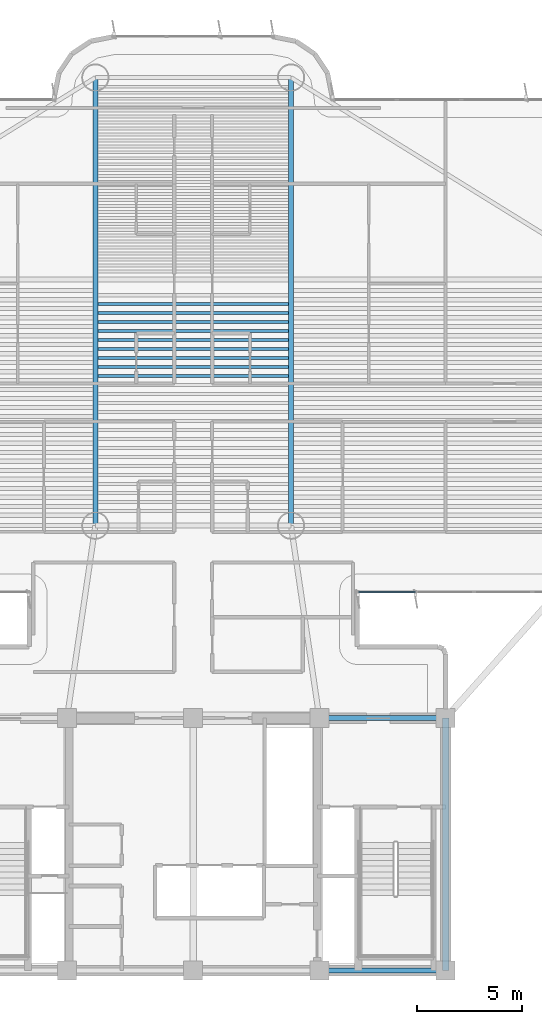
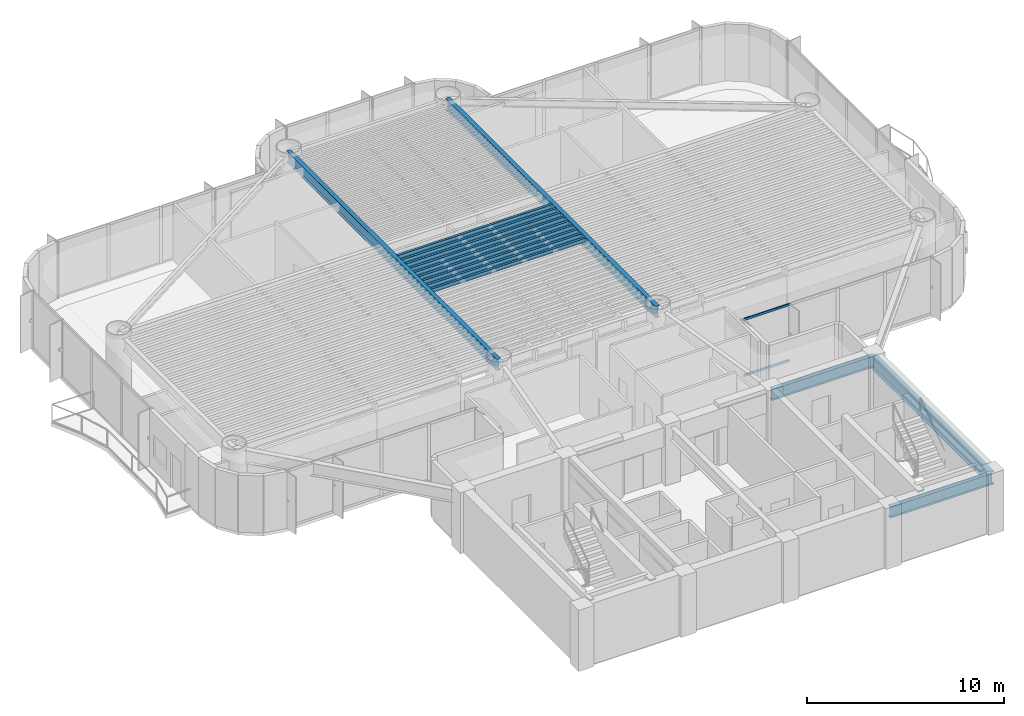
# One storey, part 3 of 17: 14 beams, 2 members, 1 element without a shape of its own.
"""IFC4 building model written with IfcOpenShell, lengths in metres."""

import ifcopenshell
import ifcopenshell.guid

model = None  # the IFC model being written
_history = None  # IfcOwnerHistory: only IFC2X3 demands one
_inside = {}  # id of a spatial element -> (the spatial element, [elements in it])
_under = {}  # id of a project, library or spatial element -> (it, [spatial elements below it])
_declared = {}  # id of a project -> (the project, [libraries it declares])
_typed = {}  # id of a type object -> (the type object, [elements of that type])
_made_of = {}  # id of a material, layer set ... -> (it, [elements and type objects made of it])


def new_model(schema):
    """Start an empty IFC model of exactly this schema.

    Asked for "IFC4X3", IfcOpenShell would pick the latest addendum, in which some entities
    have other attributes; the version numbers below select the first issue.
    IFC2X3 requires an IfcOwnerHistory on every rooted entity: one is made here for all.
    """
    global model, _history
    if schema == "IFC4X3":
        model = ifcopenshell.file(schema_version=(4, 3, 0, 0))
    else:
        model = ifcopenshell.file(schema=schema)
    _inside.clear()
    _under.clear()
    _declared.clear()
    _typed.clear()
    _made_of.clear()
    _history = None
    if model.schema == "IFC2X3":
        org = make("IfcOrganization", Name="unknown")
        user = make(
            "IfcPersonAndOrganization",
            ThePerson=make("IfcPerson", FamilyName="unknown"),
            TheOrganization=org,
        )
        app = make(
            "IfcApplication",
            ApplicationDeveloper=org,
            Version="unknown",
            ApplicationFullName="unknown",
            ApplicationIdentifier="unknown",
        )
        _history = make(
            "IfcOwnerHistory",
            OwningUser=user,
            OwningApplication=app,
            ChangeAction="ADDED",
            CreationDate=0,
        )
    return model


def make(cls, **values):
    """One entity of the class cls with the attributes given. An attribute that is None is left unset."""
    return model.create_entity(
        cls, **{name: value for name, value in values.items() if value is not None}
    )


def rooted(cls, **values):
    """An entity with a GlobalId (a new one), such as an element, a storey or a relation."""
    return make(cls, GlobalId=ifcopenshell.guid.new(), OwnerHistory=_history, **values)


def si_unit(unit_type, name, prefix=None):
    """IfcSIUnit, for example si_unit("LENGTHUNIT", "METRE", prefix="MILLI")."""
    return make("IfcSIUnit", UnitType=unit_type, Prefix=prefix, Name=name)


def assignment(units):
    """IfcUnitAssignment: the units of a project."""
    return None if units is None else make("IfcUnitAssignment", Units=units)


def point(xyz):
    """IfcCartesianPoint."""
    return None if xyz is None else make("IfcCartesianPoint", Coordinates=xyz)


def direction(xyz):
    """IfcDirection."""
    return None if xyz is None else make("IfcDirection", DirectionRatios=xyz)


def frame(location, z_axis=None, x_axis=None):
    """IfcAxis2Placement3D, a coordinate frame: its origin and axes. An axis left out is left unset."""
    return make(
        "IfcAxis2Placement3D",
        Location=point(location),
        Axis=direction(z_axis),
        RefDirection=direction(x_axis),
    )


def frame_2d(location, x_axis=None):
    """IfcAxis2Placement2D, a coordinate frame in the plane: its origin and x axis."""
    return make(
        "IfcAxis2Placement2D", Location=point(location), RefDirection=direction(x_axis)
    )


def origin():
    """The frame at (0, 0, 0) with its axes left unset."""
    return frame((0.0, 0.0, 0.0))


def origin_2d():
    """The frame at (0, 0) in the plane with its x axis left unset."""
    return frame_2d((0.0, 0.0))


def place(relative_to, where):
    """IfcLocalPlacement: puts the frame where relative to a parent placement (None: the world)."""
    return make(
        "IfcLocalPlacement", PlacementRelTo=relative_to, RelativePlacement=where
    )


def context(
    kind, dimensions, precision=None, world=None, true_north=None, identifier=None
):
    """IfcGeometricRepresentationContext, for example the 3D "Model" context."""
    return make(
        "IfcGeometricRepresentationContext",
        ContextIdentifier=identifier,
        ContextType=kind,
        CoordinateSpaceDimension=dimensions,
        Precision=precision,
        WorldCoordinateSystem=world,
        TrueNorth=true_north,
    )


def subcontext(parent, identifier, kind, view, scale=None):
    """IfcGeometricRepresentationSubContext, for example "Body" below "Model"."""
    return make(
        "IfcGeometricRepresentationSubContext",
        ContextIdentifier=identifier,
        ContextType=kind,
        ParentContext=parent,
        TargetScale=scale,
        TargetView=view,
    )


def project(units=None, contexts=None):
    """IfcProject with its units and contexts."""
    return rooted(
        "IfcProject",
        Name="project",
        RepresentationContexts=contexts,
        UnitsInContext=assignment(units),
    )


def spatial(cls, under=None, at=None, **own):
    """A site, building, storey or space (cls), placed at a placement, below another one or the project."""
    s = rooted(cls, ObjectPlacement=at, **own)
    if under is not None:
        _under.setdefault(under.id(), (under, []))[1].append(s)
    return s


def profile(cls, at=None, kind="AREA", **sizes):
    """A parametric profile (cls). Its sizes go by their IFC names, for example OverallWidth=200.0."""
    return make(cls, ProfileType=kind, Position=at, **sizes)


def rectangle(**sizes):
    """IfcRectangleProfileDef."""
    return profile("IfcRectangleProfileDef", **sizes)


def i_section(**sizes):
    """IfcIShapeProfileDef."""
    return profile("IfcIShapeProfileDef", **sizes)


def extrude(swept, where, along, depth):
    """IfcExtrudedAreaSolid: the profile swept, set in the frame where, extruded along a direction by depth."""
    return make(
        "IfcExtrudedAreaSolid",
        SweptArea=swept,
        Position=where,
        ExtrudedDirection=direction(along),
        Depth=depth,
    )


def shape(context_of_items, identifier, shape_type, items):
    """IfcShapeRepresentation: the items that make up one representation, for example the "Body"."""
    return make(
        "IfcShapeRepresentation",
        ContextOfItems=context_of_items,
        RepresentationIdentifier=identifier,
        RepresentationType=shape_type,
        Items=items,
    )


def source(mapping_origin, context_of_items, identifier, shape_type, items):
    """IfcRepresentationMap: a shape defined once, which mapped items show again and again."""
    return make(
        "IfcRepresentationMap",
        MappingOrigin=mapping_origin,
        MappedRepresentation=shape(context_of_items, identifier, shape_type, items),
    )


def transform(
    local_origin,
    x_axis=None,
    y_axis=None,
    z_axis=None,
    scale=None,
    scale2=None,
    scale3=None,
    uniform=True,
):
    """IfcCartesianTransformationOperator3D, or its non-uniform kind. x_axis, y_axis, z_axis: its Axis1, 2, 3."""
    if uniform:
        return make(
            "IfcCartesianTransformationOperator3D",
            Axis1=direction(x_axis),
            Axis2=direction(y_axis),
            LocalOrigin=point(local_origin),
            Scale=scale,
            Axis3=direction(z_axis),
        )
    return make(
        "IfcCartesianTransformationOperator3DnonUniform",
        Axis1=direction(x_axis),
        Axis2=direction(y_axis),
        LocalOrigin=point(local_origin),
        Scale=scale,
        Axis3=direction(z_axis),
        Scale2=scale2,
        Scale3=scale3,
    )


def mapped(mapping_source, mapping_target):
    """IfcMappedItem: shows the shape of a source again, moved by a transform."""
    return make(
        "IfcMappedItem", MappingSource=mapping_source, MappingTarget=mapping_target
    )


def material(Name=None, Category=None):
    """IfcMaterial."""
    return make("IfcMaterial", Name=Name, Category=Category)


def layer(
    of_material, thickness, ventilated=None, Name=None, Category=None, Priority=None
):
    """IfcMaterialLayer: one layer of a wall or slab, of a material (None: an air gap)."""
    return make(
        "IfcMaterialLayer",
        Material=of_material,
        LayerThickness=thickness,
        IsVentilated=ventilated,
        Name=Name,
        Category=Category,
        Priority=Priority,
    )


def layer_set(layers, Name=None):
    """IfcMaterialLayerSet."""
    return make("IfcMaterialLayerSet", MaterialLayers=layers, LayerSetName=Name)


def material_profile(
    of_material, cross_section, Name=None, Category=None, Priority=None
):
    """IfcMaterialProfile: a cross section and its material."""
    return make(
        "IfcMaterialProfile",
        Name=Name,
        Material=of_material,
        Profile=cross_section,
        Priority=Priority,
        Category=Category,
    )


def profile_set(profiles, Name=None, composite=None):
    """IfcMaterialProfileSet."""
    return make(
        "IfcMaterialProfileSet",
        Name=Name,
        MaterialProfiles=profiles,
        CompositeProfile=composite,
    )


def made_of(thing, what):
    """Note that an element or type object is made of a material, layer set ...; save() writes the relation."""
    if what is not None:
        _made_of.setdefault(what.id(), (what, []))[1].append(thing)
    return thing


def type_object(cls, material=None, **own):
    """A type object (cls), such as IfcWallType, which elements share."""
    return made_of(rooted(cls, **own), material)


def element(
    cls,
    number,
    at=None,
    inside=None,
    cuts=None,
    type_object=None,
    material=None,
    context=None,
    identifier="Body",
    shape_type=None,
    held_by="IfcProductDefinitionShape",
    body=None,
    shapes=None,
    **own,
):
    """One element of the class cls, such as IfcWall. Its Tag is "e" and its number.

    at: its placement. inside: the storey or other place that contains it. cuts: it is an
    opening in that element (IfcRelVoidsElement). A single representation is given by context,
    identifier, shape_type and body (its items); several are given by shapes. held_by: the class
    of the entity that holds the representations. save() writes the other relations.
    """
    e = rooted(cls, Tag="e%d" % number, ObjectPlacement=at, **own)
    if body is not None:
        shapes = [shape(context, identifier, shape_type, body)]
    if shapes is not None:
        e.Representation = make(held_by, Representations=shapes)
    if inside is not None:
        _inside.setdefault(inside.id(), (inside, []))[1].append(e)
    if cuts is not None:
        rooted(
            "IfcRelVoidsElement", RelatingBuildingElement=cuts, RelatedOpeningElement=e
        )
    if type_object is not None:
        _typed.setdefault(type_object.id(), (type_object, []))[1].append(e)
    return made_of(e, material)


def aggregate(whole, parts):
    """IfcRelAggregates: a whole, such as a stair, and the parts it consists of."""
    return rooted("IfcRelAggregates", RelatingObject=whole, RelatedObjects=parts)


def save(model, path):
    """Write the relations noted so far, then the file.

    IfcRelAggregates (storeys below a building ...), IfcRelContainedInSpatialStructure (elements
    in a storey), IfcRelDefinesByType, IfcRelAssociatesMaterial and IfcRelDeclares: one each for
    every whole, place, type object, material and project.
    """
    for whole, parts in _under.values():
        aggregate(whole, parts)
    for where, things in _inside.values():
        rooted(
            "IfcRelContainedInSpatialStructure",
            RelatedElements=things,
            RelatingStructure=where,
        )
    for kind, things in _typed.values():
        rooted("IfcRelDefinesByType", RelatedObjects=things, RelatingType=kind)
    for what, things in _made_of.values():
        rooted("IfcRelAssociatesMaterial", RelatedObjects=things, RelatingMaterial=what)
    for by, libraries in _declared.values():
        rooted("IfcRelDeclares", RelatingContext=by, RelatedDefinitions=libraries)
    model.write(path)


model = new_model("IFC4")

# Units and contexts
model_context = context("Model", 3, precision=1e-05, world=origin(), true_north=direction((0.0, 1.0)))
body_context = subcontext(model_context, "Body", "Model", "MODEL_VIEW")
ifc_project = project(units=[si_unit("LENGTHUNIT", "METRE"), si_unit("AREAUNIT", "SQUARE_METRE"), si_unit("VOLUMEUNIT", "CUBIC_METRE"), si_unit("PLANEANGLEUNIT", "RADIAN"), si_unit("MASSUNIT", "GRAM", prefix="KILO")], contexts=[model_context])

# Site, building, storey
site_placement = place(None, origin())
site = spatial("IfcSite", under=ifc_project, at=site_placement, CompositionType="ELEMENT")
building_placement = place(site_placement, origin())
building = spatial("IfcBuilding", under=site, at=building_placement, Name="Brelvock Crest Care Tower", CompositionType="ELEMENT")
storey_placement = place(building_placement, frame((0.0, 0.0, 97.3798828125)))
storey = spatial("IfcBuildingStorey", under=building, at=storey_placement, Name="L24", CompositionType="ELEMENT", Elevation=97.3798828125)

# Beams
ifc_material_1 = material(Name="Steel Grade 350", Category="steel")
ifc_material_profile_1 = material_profile(ifc_material_1, i_section(OverallWidth=0.25, OverallDepth=0.699951171875, WebThickness=0.011962890625, FlangeThickness=0.02001953125, at=origin_2d()), Name="700WB150")
ifc_profile_set_1 = profile_set([ifc_material_profile_1], Name="Steel Grade 350")
beam_type_1 = type_object("IfcBeamType", Name="BM-G4", PredefinedType="BEAM", material=ifc_profile_set_1)
shared_shape_1 = source(origin(), body_context, "Body", "SweptSolid", [
    extrude(i_section(OverallWidth=0.25, OverallDepth=0.699951171875, WebThickness=0.011962890625, FlangeThickness=0.02001953125, at=origin_2d()), origin(), (0.0, 0.0, 1.0), 6.0),
])
for number, where, z_axis, x_axis, name in (
    (1, (42.0, 6.0, 3.18017578125), (1.0, 0.0, 0.0), (0.0, 1.0, 0.0), "BM-CORES-L24-4"),
    (2, (42.0, 18.0, 3.18017578125), (1.0, 0.0, 0.0), (0.0, 1.0, 0.0), "BM-COREN-L24-4"),
):
    element("IfcBeam", number, at=place(storey_placement, frame(where, z_axis=z_axis, x_axis=x_axis)), inside=storey, type_object=beam_type_1, Name=name, PredefinedType="BEAM", context=body_context, shape_type="MappedRepresentation", body=[
        mapped(shared_shape_1, transform((0.0, 0.0, 0.0), x_axis=(1.0, 0.0, 0.0), y_axis=(0.0, 1.0, 0.0), z_axis=(0.0, 0.0, 1.0), scale=1.0)),
    ])
ifc_material_profile_2 = material_profile(ifc_material_1, i_section(OverallWidth=0.300048828125, OverallDepth=0.800048828125, WebThickness=0.013916015625, FlangeThickness=0.02197265625, at=origin_2d()), Name="800WB192")
ifc_profile_set_2 = profile_set([ifc_material_profile_2], Name="Steel Grade 350")
beam_type_2 = type_object("IfcBeamType", Name="BM-G5", PredefinedType="BEAM", material=ifc_profile_set_2)
shared_shape_2 = source(origin(), body_context, "Body", "SweptSolid", [
    extrude(i_section(OverallWidth=0.300048828125, OverallDepth=0.800048828125, WebThickness=0.013916015625, FlangeThickness=0.02197265625, at=origin_2d()), origin(), (0.0, 0.0, 1.0), 12.0),
])
beam_placement = place(storey_placement, frame((48.0, 6.0, 3.130126953125), z_axis=(0.0, 1.0, 0.0), x_axis=(-1.0, 0.0, 0.0)))
element("IfcBeam", 3, at=beam_placement, inside=storey, type_object=beam_type_2, Name="BM-COREX-L24-5", PredefinedType="BEAM", context=body_context, shape_type="MappedRepresentation", body=[
    mapped(shared_shape_2, transform((0.0, 0.0, 0.0), x_axis=(1.0, 0.0, 0.0), y_axis=(0.0, 1.0, 0.0), z_axis=(0.0, 0.0, 1.0), scale=1.0)),
])
ifc_material_profile_3 = material_profile(ifc_material_1, i_section(OverallWidth=0.14599609375, OverallDepth=0.256103515625, WebThickness=0.00634765625, FlangeThickness=0.010986328125, FilletRadius=0.0087890625, at=origin_2d()), Name="250UB37.3")
ifc_profile_set_3 = profile_set([ifc_material_profile_3], Name="Steel Grade 350")
beam_type_3 = type_object("IfcBeamType", Name="BM-J3", PredefinedType="JOIST", material=ifc_profile_set_3)
shared_shape_3 = source(origin(), body_context, "Body", "SweptSolid", [
    extrude(i_section(OverallWidth=0.14599609375, OverallDepth=0.256103515625, WebThickness=0.00634765625, FlangeThickness=0.010986328125, FilletRadius=0.0087890625, at=origin_2d()), origin(), (0.0, 0.0, 1.0), 9.06982421875),
])
for number, where, z_axis, x_axis, name in (
    (4, (31.465087890625, 34.2607421875, 3.402099609375), (1.0, 0.0, 0.0), (0.0, 1.0, 0.0), "BM-JH-L24-16"),
    (5, (31.465087890625, 34.687744140625, 3.402099609375), (1.0, 0.0, 0.0), (0.0, 1.0, 0.0), "BM-JH-L24-17"),
    (6, (31.465087890625, 35.11474609375, 3.402099609375), (1.0, 0.0, 0.0), (0.0, 1.0, 0.0), "BM-JH-L24-18"),
    (7, (31.465087890625, 35.541748046875, 3.402099609375), (1.0, 0.0, 0.0), (0.0, 1.0, 0.0), "BM-JH-L24-19"),
    (8, (31.465087890625, 35.96875, 3.402099609375), (1.0, 0.0, 0.0), (0.0, 1.0, 0.0), "BM-JH-L24-20"),
    (9, (31.465087890625, 36.39599609375, 3.402099609375), (1.0, 0.0, 0.0), (0.0, 1.0, 0.0), "BM-JH-L24-21"),
    (10, (31.465087890625, 36.822998046875, 3.402099609375), (1.0, 0.0, 0.0), (0.0, 1.0, 0.0), "BM-JH-L24-22"),
    (11, (31.465087890625, 37.25, 3.402099609375), (1.0, 0.0, 0.0), (0.0, 1.0, 0.0), "BM-JH-L24-23"),
    (12, (31.465087890625, 37.677001953125, 3.402099609375), (1.0, 0.0, 0.0), (0.0, 1.0, 0.0), "BM-JH-L24-24"),
):
    element("IfcBeam", number, at=place(storey_placement, frame(where, z_axis=z_axis, x_axis=x_axis)), inside=storey, type_object=beam_type_3, Name=name, PredefinedType="JOIST", context=body_context, shape_type="MappedRepresentation", body=[
        mapped(shared_shape_3, transform((0.0, 0.0, 0.0), x_axis=(1.0, 0.0, 0.0), y_axis=(0.0, 1.0, 0.0), z_axis=(0.0, 0.0, 1.0), scale=1.0)),
    ])
shared_shape_4 = source(origin(), body_context, "Body", "SweptSolid", [
    extrude(i_section(OverallWidth=0.25, OverallDepth=0.699951171875, WebThickness=0.011962890625, FlangeThickness=0.02001953125, at=origin_2d()), origin(), (0.0, 0.0, 1.0), 21.300048828125),
])
for number, where, z_axis, x_axis, name in (
    (13, (31.35009765625, 27.14990234375, 3.18017578125), (0.0, 1.0, 0.0), (-1.0, 0.0, 0.0), "BM-TWR-L24-09"),
    (14, (40.64990234375, 27.14990234375, 3.18017578125), (0.0, 1.0, 0.0), (-1.0, 0.0, 0.0), "BM-TWR-L24-10"),
):
    element("IfcBeam", number, at=place(storey_placement, frame(where, z_axis=z_axis, x_axis=x_axis)), inside=storey, type_object=beam_type_1, Name=name, PredefinedType="BEAM", context=body_context, shape_type="MappedRepresentation", body=[
        mapped(shared_shape_4, transform((0.0, 0.0, 0.0), x_axis=(1.0, 0.0, 0.0), y_axis=(0.0, 1.0, 0.0), z_axis=(0.0, 0.0, 1.0), scale=1.0)),
    ])

# Curtain wall, members
ifc_material_2 = material(Name="Dark Glass Double Glazed Low-E", Category="glass")
ifc_layer = layer(ifc_material_2, 0.2099609375, Name="CWS-3")
ifc_layer_set = layer_set([ifc_layer], Name="Dark Glass Double Glazed Low-E")
curtain_wall_type = type_object("IfcCurtainWallType", Name="CWS-3", PredefinedType="NOTDEFINED", material=ifc_layer_set)
curtain_wall_placement = place(storey_placement, origin())
curtain_wall = element("IfcCurtainWall", 15, at=curtain_wall_placement, inside=storey, type_object=curtain_wall_type, Name="L24 Curtain Wall E44", PredefinedType="NOTDEFINED")
ifc_material_3 = material(Name="Aluminium 6063-T6", Category="aluminium")
ifc_material_profile_4 = material_profile(ifc_material_3, rectangle(XDim=0.06005859375, YDim=0.139892578125, at=origin_2d()), Name="ALU60x140")
ifc_profile_set_4 = profile_set([ifc_material_profile_4], Name="Aluminium 6063-T6")
member_type = type_object("IfcMemberType", Name="CWT-2", PredefinedType="USERDEFINED", material=ifc_profile_set_4)
shared_shape_5 = source(origin(), body_context, "Body", "SweptSolid", [
    extrude(rectangle(XDim=0.06005859375, YDim=0.139892578125, at=origin_2d()), origin(), (0.0, 0.0, 1.0), 2.684814453125),
])
member_1_placement = place(storey_placement, frame((46.544921875, 24.0, 0.030029296875), z_axis=(-1.0, 0.0, 0.0), x_axis=(0.0, -1.0, 0.0)))
member_1 = element("IfcMember", 16, at=member_1_placement, type_object=member_type, Name="CW-3 transom 4.1", ObjectType="TRANSOM", PredefinedType="USERDEFINED", context=body_context, shape_type="MappedRepresentation", body=[
    mapped(shared_shape_5, transform((0.0, 0.0, 0.0), x_axis=(1.0, 0.0, 0.0), y_axis=(0.0, 1.0, 0.0), z_axis=(0.0, 0.0, 1.0), scale=1.0)),
])
member_2_placement = place(storey_placement, frame((46.544921875, 24.0, 3.5), z_axis=(-1.0, 0.0, 0.0), x_axis=(0.0, -1.0, 0.0)))
member_2 = element("IfcMember", 17, at=member_2_placement, type_object=member_type, Name="CW-3 transom 4.2", ObjectType="TRANSOM", PredefinedType="USERDEFINED", context=body_context, shape_type="MappedRepresentation", body=[
    mapped(shared_shape_5, transform((0.0, 0.0, 0.0), x_axis=(1.0, 0.0, 0.0), y_axis=(0.0, 1.0, 0.0), z_axis=(0.0, 0.0, 1.0), scale=1.0)),
])
aggregate(curtain_wall, [member_1, member_2])

save(model, "model.ifc")
